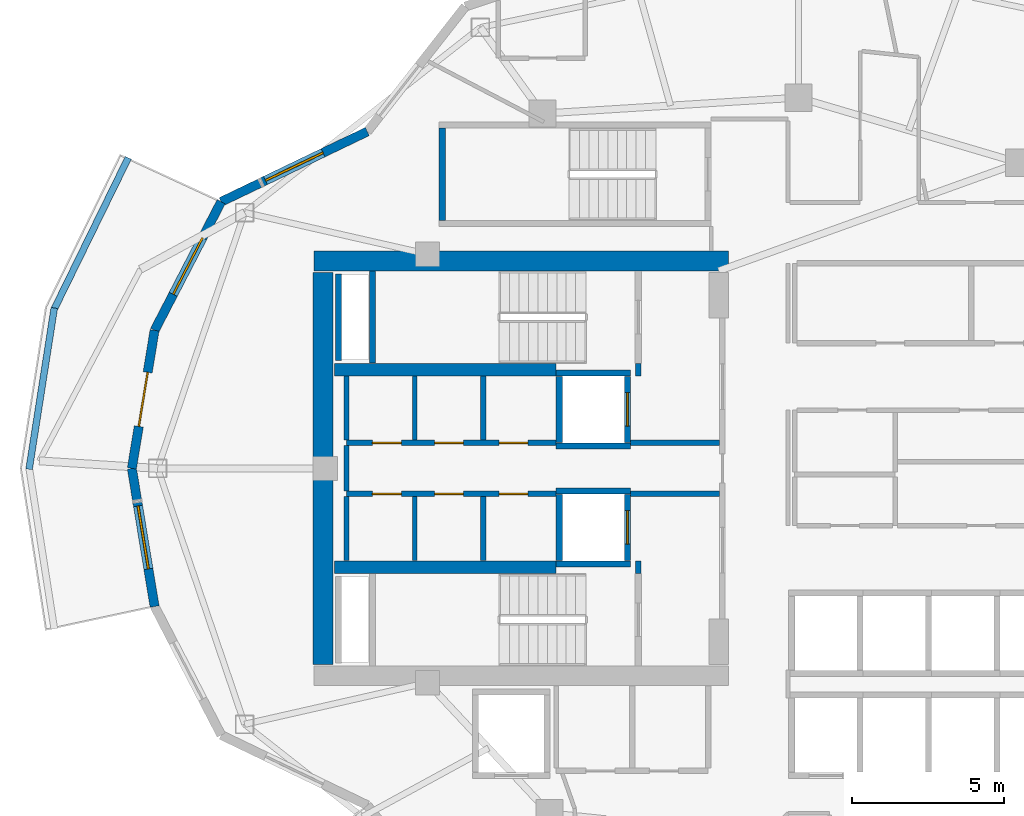
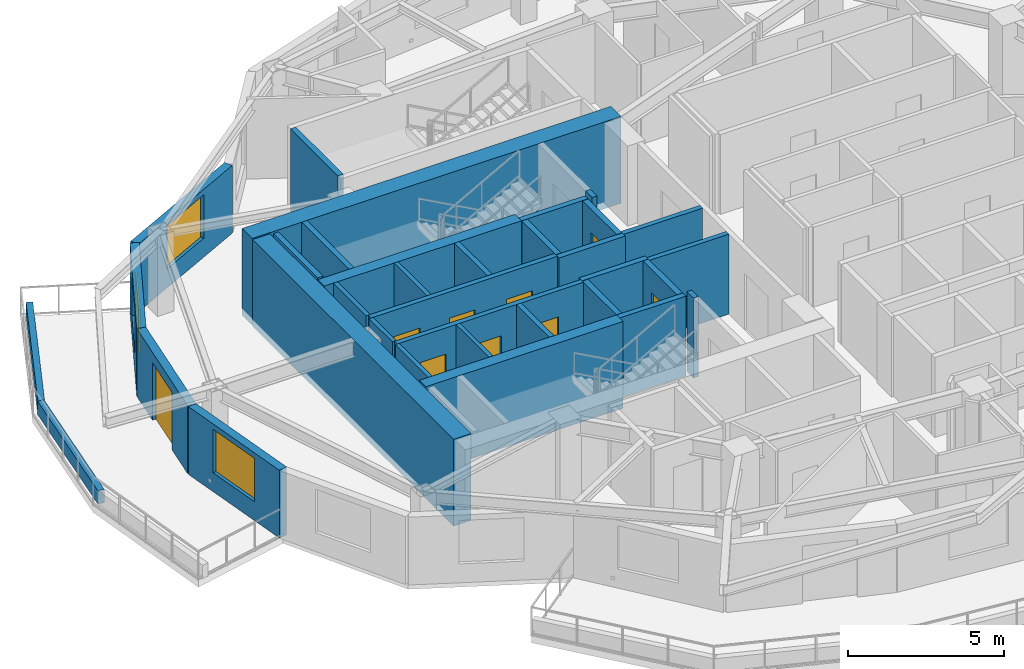
# One storey, part 4 of 10: 34 walls, 9 doors, 3 windows, 12 openings.
"""IFC4 building model written with IfcOpenShell, lengths in metres."""

from ifc_helpers import new_model, si_unit, direction, frame, frame_2d, origin, place, context, subcontext, project, spatial, rectangle, extrude, material, layer, layer_set, type_object, element, fill, save


model = new_model("IFC4")

# Units and contexts
model_context = context("Model", 3, precision=1e-05, world=origin(), true_north=direction((0.0, 1.0)))
body_context = subcontext(model_context, "Body", "Model", "MODEL_VIEW")
ifc_project = project(units=[si_unit("LENGTHUNIT", "METRE"), si_unit("AREAUNIT", "SQUARE_METRE"), si_unit("VOLUMEUNIT", "CUBIC_METRE"), si_unit("PLANEANGLEUNIT", "RADIAN"), si_unit("MASSUNIT", "GRAM", prefix="KILO")], contexts=[model_context])

# Site, building, storey
site_placement = place(None, origin())
site = spatial("IfcSite", under=ifc_project, at=site_placement, CompositionType="ELEMENT")
building_placement = place(site_placement, origin())
building = spatial("IfcBuilding", under=site, at=building_placement, Name="Kolvaren Gate Tower and Convention Centre", CompositionType="ELEMENT")
storey_placement = place(building_placement, frame((0.0, 0.0, 152.89990234375)))
storey = spatial("IfcBuildingStorey", under=building, at=storey_placement, Name="L39", CompositionType="ELEMENT", Elevation=152.89990234375)

# Walls
ifc_material_1 = material(Name="Autoclaved Aerated Masonry Blockwork Class 4 (4.0 MPa)", Category="masonry")
ifc_layer_1 = layer(ifc_material_1, 0.179931640625)
ifc_layer_set_1 = layer_set([ifc_layer_1], Name="Autoclaved Aerated Masonry Blockwork Class 4 (4.0 MPa)")
wall_type_1 = type_object("IfcWallType", Name="ARCH-WL-COMP-180", PredefinedType="SOLIDWALL", material=ifc_layer_set_1)
for number, where, z_axis, x_axis, name in (
    (1, (24.85009765625, 23.5400390625, 0.0), (0.0, 0.0, 1.0), (0.0, 1.0, 0.0), "Interior Partition WL-L39-INT-001"),
    (2, (24.85009765625, 30.0400390625, 0.0), (0.0, 0.0, 1.0), (0.0, 1.0, 0.0), "Interior Partition WL-L39-INT-002"),
):
    element("IfcWall", number, at=place(storey_placement, frame(where, z_axis=z_axis, x_axis=x_axis)), inside=storey, type_object=wall_type_1, Name=name, PredefinedType="SOLIDWALL", context=body_context, shape_type="SweptSolid", body=[
        extrude(rectangle(XDim=0.419921875, YDim=0.179931640625, at=frame_2d((0.2099609375, 0.0))), origin(), (0.0, 0.0, 1.0), 3.130126953125),
    ])

# Wall, openings, doors
wall_1_placement = place(storey_placement, frame((15.25, 27.840087890625, 0.0), z_axis=(0.0, 0.0, 1.0), x_axis=(1.0, 0.0, 0.0)))
wall_1 = element("IfcWall", 3, at=wall_1_placement, inside=storey, type_object=wall_type_1, Name="Interior Partition WL-L39-INT-004", PredefinedType="SOLIDWALL", context=body_context, shape_type="SweptSolid", body=[
    extrude(rectangle(XDim=6.89990234375, YDim=0.179931640625, at=frame_2d((3.449951171875, 0.0))), origin(), (0.0, 0.0, 1.0), 3.130126953125),
])
opening_1_placement = place(wall_1_placement, frame((5.02001953125, 0.0, 0.0)))
opening_1 = element("IfcOpeningElement", 4, at=opening_1_placement, cuts=wall_1, Name="Opening DR-01", PredefinedType="OPENING", context=body_context, shape_type="SweptSolid", body=[
    extrude(rectangle(XDim=0.949951171875, YDim=2.10009765625, at=frame_2d((0.47509765625, 1.050048828125))), frame((0.0, 0.099853515625, 0.0), z_axis=(0.0, -1.0, 0.0), x_axis=(1.0, 0.0, 0.0)), (0.0, 0.0, 1.0), 0.199951171875),
])
opening_2_placement = place(wall_1_placement, frame((0.85498046875, 0.0, 0.0)))
opening_2 = element("IfcOpeningElement", 5, at=opening_2_placement, cuts=wall_1, Name="Opening DR-01", PredefinedType="OPENING", context=body_context, shape_type="SweptSolid", body=[
    extrude(rectangle(XDim=0.949951171875, YDim=2.10009765625, at=frame_2d((0.47509765625, 1.050048828125))), frame((0.0, 0.099853515625, 0.0), z_axis=(0.0, -1.0, 0.0), x_axis=(1.0, 0.0, 0.0)), (0.0, 0.0, 1.0), 0.199951171875),
])
opening_3_placement = place(wall_1_placement, frame((2.89990234375, 0.0, 0.0)))
opening_3 = element("IfcOpeningElement", 6, at=opening_3_placement, cuts=wall_1, Name="Opening DR-01", PredefinedType="OPENING", context=body_context, shape_type="SweptSolid", body=[
    extrude(rectangle(XDim=0.949951171875, YDim=2.10009765625, at=frame_2d((0.47509765625, 1.050048828125))), frame((0.0, 0.099853515625, 0.0), z_axis=(0.0, -1.0, 0.0), x_axis=(1.0, 0.0, 0.0)), (0.0, 0.0, 1.0), 0.199951171875),
])
ifc_material_2 = material(Name="Painted Architectural Steelwork ASTM A500 Grade C 345 MPa", Category="steel")
door_type_1 = type_object("IfcDoorType", Name="ARCH-DR-RISER-950", OperationType="SINGLE_SWING_RIGHT", PredefinedType="DOOR", material=ifc_material_2)
door_1_placement = place(opening_1_placement, origin())
door_1 = element("IfcDoor", 7, at=door_1_placement, inside=storey, type_object=door_type_1, Name="Electrical Switchgear Closet Door", OperationType="SINGLE_SWING_RIGHT", OverallHeight=2.10009765625, OverallWidth=0.949951171875, PredefinedType="DOOR", context=body_context, shape_type="SweptSolid", body=[
    extrude(rectangle(XDim=0.949951171875, YDim=2.10009765625, at=frame_2d((0.47509765625, 1.050048828125))), frame((0.0, 0.02490234375, 0.0), z_axis=(0.0, -1.0, 0.0), x_axis=(1.0, 0.0, 0.0)), (0.0, 0.0, 1.0), 0.050048828125),
])
fill(opening_1, door_1)
door_2_placement = place(opening_2_placement, origin())
door_2 = element("IfcDoor", 8, at=door_2_placement, inside=storey, type_object=door_type_1, Name="Staff Accessible WC Door", OperationType="SINGLE_SWING_RIGHT", OverallHeight=2.10009765625, OverallWidth=0.949951171875, PredefinedType="DOOR", context=body_context, shape_type="SweptSolid", body=[
    extrude(rectangle(XDim=0.949951171875, YDim=2.10009765625, at=frame_2d((0.47509765625, 1.050048828125))), frame((0.0, 0.02490234375, 0.0), z_axis=(0.0, -1.0, 0.0), x_axis=(1.0, 0.0, 0.0)), (0.0, 0.0, 1.0), 0.050048828125),
])
fill(opening_2, door_2)
door_3_placement = place(opening_3_placement, origin())
door_3 = element("IfcDoor", 9, at=door_3_placement, inside=storey, type_object=door_type_1, Name="Housekeeping Sink Closet Door", OperationType="SINGLE_SWING_LEFT", OverallHeight=2.10009765625, OverallWidth=0.949951171875, PredefinedType="DOOR", context=body_context, shape_type="SweptSolid", body=[
    extrude(rectangle(XDim=0.949951171875, YDim=2.10009765625, at=frame_2d((0.47509765625, 1.050048828125))), frame((0.0, 0.02490234375, 0.0), z_axis=(0.0, -1.0, 0.0), x_axis=(1.0, 0.0, 0.0)), (0.0, 0.0, 1.0), 0.050048828125),
])
fill(opening_3, door_3)

# Wall
wall_2_placement = place(storey_placement, frame((24.60009765625, 27.840087890625, 0.0), z_axis=(0.0, 0.0, 1.0), x_axis=(1.0, 0.0, 0.0)))
element("IfcWall", 10, at=wall_2_placement, inside=storey, type_object=wall_type_1, Name="Interior Partition WL-L39-INT-004 (2)", PredefinedType="SOLIDWALL", context=body_context, shape_type="SweptSolid", body=[
    extrude(rectangle(XDim=2.927978515625, YDim=0.179931640625, at=frame_2d((1.4638671875, 0.0))), origin(), (0.0, 0.0, 1.0), 3.130126953125),
])

# Wall, openings, doors
wall_3_placement = place(storey_placement, frame((15.25, 26.159912109375, 0.0), z_axis=(0.0, 0.0, 1.0), x_axis=(1.0, 0.0, 0.0)))
wall_3 = element("IfcWall", 11, at=wall_3_placement, inside=storey, type_object=wall_type_1, Name="Interior Partition WL-L39-INT-005", PredefinedType="SOLIDWALL", context=body_context, shape_type="SweptSolid", body=[
    extrude(rectangle(XDim=6.89990234375, YDim=0.179931640625, at=frame_2d((3.449951171875, 0.0))), origin(), (0.0, 0.0, 1.0), 3.130126953125),
])
opening_4_placement = place(wall_3_placement, frame((5.02001953125, 0.0, 0.0)))
opening_4 = element("IfcOpeningElement", 12, at=opening_4_placement, cuts=wall_3, Name="Opening DR-01", PredefinedType="OPENING", context=body_context, shape_type="SweptSolid", body=[
    extrude(rectangle(XDim=0.949951171875, YDim=2.10009765625, at=frame_2d((0.47509765625, 1.050048828125))), frame((0.0, 0.099853515625, 0.0), z_axis=(0.0, -1.0, 0.0), x_axis=(1.0, 0.0, 0.0)), (0.0, 0.0, 1.0), 0.199951171875),
])
opening_5_placement = place(wall_3_placement, frame((0.85498046875, 0.0, 0.0)))
opening_5 = element("IfcOpeningElement", 13, at=opening_5_placement, cuts=wall_3, Name="Opening DR-01", PredefinedType="OPENING", context=body_context, shape_type="SweptSolid", body=[
    extrude(rectangle(XDim=0.949951171875, YDim=2.10009765625, at=frame_2d((0.47509765625, 1.050048828125))), frame((0.0, 0.099853515625, 0.0), z_axis=(0.0, -1.0, 0.0), x_axis=(1.0, 0.0, 0.0)), (0.0, 0.0, 1.0), 0.199951171875),
])
opening_6_placement = place(wall_3_placement, frame((2.89990234375, 0.0, 0.0)))
opening_6 = element("IfcOpeningElement", 14, at=opening_6_placement, cuts=wall_3, Name="Opening DR-01", PredefinedType="OPENING", context=body_context, shape_type="SweptSolid", body=[
    extrude(rectangle(XDim=0.949951171875, YDim=2.10009765625, at=frame_2d((0.47509765625, 1.050048828125))), frame((0.0, 0.099853515625, 0.0), z_axis=(0.0, -1.0, 0.0), x_axis=(1.0, 0.0, 0.0)), (0.0, 0.0, 1.0), 0.199951171875),
])
door_4_placement = place(opening_4_placement, origin())
door_4 = element("IfcDoor", 15, at=door_4_placement, inside=storey, type_object=door_type_1, Name="Domestic Water Meter Closet Door", OperationType="SINGLE_SWING_LEFT", OverallHeight=2.10009765625, OverallWidth=0.949951171875, PredefinedType="DOOR", context=body_context, shape_type="SweptSolid", body=[
    extrude(rectangle(XDim=0.949951171875, YDim=2.10009765625, at=frame_2d((0.47509765625, 1.050048828125))), frame((0.0, 0.02490234375, 0.0), z_axis=(0.0, -1.0, 0.0), x_axis=(1.0, 0.0, 0.0)), (0.0, 0.0, 1.0), 0.050048828125),
])
fill(opening_4, door_4)
door_5_placement = place(opening_5_placement, origin())
door_5 = element("IfcDoor", 16, at=door_5_placement, inside=storey, type_object=door_type_1, Name="Beverage Service Pantry Door", OperationType="SINGLE_SWING_RIGHT", OverallHeight=2.10009765625, OverallWidth=0.949951171875, PredefinedType="DOOR", context=body_context, shape_type="SweptSolid", body=[
    extrude(rectangle(XDim=0.949951171875, YDim=2.10009765625, at=frame_2d((0.47509765625, 1.050048828125))), frame((0.0, 0.02490234375, 0.0), z_axis=(0.0, -1.0, 0.0), x_axis=(1.0, 0.0, 0.0)), (0.0, 0.0, 1.0), 0.050048828125),
])
fill(opening_5, door_5)
door_6_placement = place(opening_6_placement, origin())
door_6 = element("IfcDoor", 17, at=door_6_placement, inside=storey, type_object=door_type_1, Name="Archive Supply Closet Door", OperationType="SINGLE_SWING_LEFT", OverallHeight=2.10009765625, OverallWidth=0.949951171875, PredefinedType="DOOR", context=body_context, shape_type="SweptSolid", body=[
    extrude(rectangle(XDim=0.949951171875, YDim=2.10009765625, at=frame_2d((0.47509765625, 1.050048828125))), frame((0.0, 0.02490234375, 0.0), z_axis=(0.0, -1.0, 0.0), x_axis=(1.0, 0.0, 0.0)), (0.0, 0.0, 1.0), 0.050048828125),
])
fill(opening_6, door_6)

# Walls
wall_4_placement = place(storey_placement, frame((24.60009765625, 26.159912109375, 0.0), z_axis=(0.0, 0.0, 1.0), x_axis=(1.0, 0.0, 0.0)))
element("IfcWall", 18, at=wall_4_placement, inside=storey, type_object=wall_type_1, Name="Interior Partition WL-L39-INT-005 (2)", PredefinedType="SOLIDWALL", context=body_context, shape_type="SweptSolid", body=[
    extrude(rectangle(XDim=2.927978515625, YDim=0.179931640625, at=frame_2d((1.4638671875, 0.0))), origin(), (0.0, 0.0, 1.0), 3.130126953125),
])
for number, where, z_axis, x_axis, name in (
    (19, (19.75, 23.9619140625, 0.0), (0.0, 0.0, 1.0), (0.0, 1.0, 0.0), "Interior Partition WL-L39-INT-007"),
    (20, (19.75, 27.931884765625, 0.0), (0.0, 0.0, 1.0), (0.0, 1.0, 0.0), "Interior Partition WL-L39-INT-008"),
):
    element("IfcWall", number, at=place(storey_placement, frame(where, z_axis=z_axis, x_axis=x_axis)), inside=storey, type_object=wall_type_1, Name=name, PredefinedType="SOLIDWALL", context=body_context, shape_type="SweptSolid", body=[
        extrude(rectangle(XDim=2.106201171875, YDim=0.179931640625, at=frame_2d((1.05322265625, 0.0))), origin(), (0.0, 0.0, 1.0), 3.130126953125),
    ])
ifc_material_3 = material(Name="Piedmont Cream Honed Limestone Cladding", Category="masonry")
ifc_layer_2 = layer(ifc_material_3, 0.219970703125)
ifc_layer_set_2 = layer_set([ifc_layer_2], Name="Piedmont Cream Honed Limestone Cladding")
wall_type_2 = type_object("IfcWallType", Name="ARCH-WL-PLANTER-220", PredefinedType="PARAPET", material=ifc_layer_set_2)
wall_5_placement = place(storey_placement, frame((5.6220703125, 32.22119140625, 0.0), z_axis=(0.0, 0.0, 1.0), x_axis=(0.439637174641, 0.898175458735, 0.0)))
element("IfcWall", 21, at=wall_5_placement, inside=storey, type_object=wall_type_2, Name="Vertical-Forest Balcony Stone Planter Kerb PK-L39-2.1", PredefinedType="PARAPET", context=body_context, shape_type="SweptSolid", body=[
    extrude(rectangle(XDim=5.567138671875, YDim=0.219970703125, at=frame_2d((2.78369140625, 0.0))), origin(), (0.0, 0.0, 1.0), 0.52001953125),
])
wall_6_placement = place(storey_placement, frame((4.805908203125, 26.970703125, 0.0), z_axis=(0.0, 0.0, 1.0), x_axis=(0.154245214003, 0.988032597619, 0.0)))
element("IfcWall", 22, at=wall_6_placement, inside=storey, type_object=wall_type_2, Name="Vertical-Forest Balcony Stone Planter Kerb PK-L39-2.2", PredefinedType="PARAPET", context=body_context, shape_type="SweptSolid", body=[
    extrude(rectangle(XDim=5.37353515625, YDim=0.219970703125, at=frame_2d((2.686767578125, 0.0))), origin(), (0.0, 0.0, 1.0), 0.52001953125),
])
ifc_layer_3 = layer(ifc_material_1, 0.199951171875)
ifc_layer_set_3 = layer_set([ifc_layer_3], Name="Autoclaved Aerated Masonry Blockwork Class 4 (4.0 MPa)")
wall_type_3 = type_object("IfcWallType", Name="ARCH-WL-SHAFT-200", PredefinedType="SOLIDWALL", material=ifc_layer_set_3)
for number, where, z_axis, x_axis, name in (
    (23, (22.14990234375, 30.139892578125, 0.0), (0.0, 0.0, 1.0), (1.0, 0.0, 0.0), "Elevator FF-01 L39 Fire Shaft Wall N"),
    (24, (22.14990234375, 27.739990234375, 0.0), (0.0, 0.0, 1.0), (1.0, 0.0, 0.0), "Elevator FF-01 L39 Fire Shaft Wall S"),
):
    element("IfcWall", number, at=place(storey_placement, frame(where, z_axis=z_axis, x_axis=x_axis)), inside=storey, type_object=wall_type_3, Name=name, PredefinedType="SOLIDWALL", context=body_context, shape_type="SweptSolid", body=[
        extrude(rectangle(XDim=2.4501953125, YDim=0.199951171875, at=frame_2d((1.22509765625, 0.0))), origin(), (0.0, 0.0, 1.0), 3.130126953125),
    ])
wall_7_placement = place(storey_placement, frame((22.25, 27.85009765625, 0.0), z_axis=(0.0, 0.0, 1.0), x_axis=(0.0, 1.0, 0.0)))
element("IfcWall", 25, at=wall_7_placement, inside=storey, type_object=wall_type_3, Name="Elevator FF-01 L39 Fire Shaft Wall W", PredefinedType="SOLIDWALL", context=body_context, shape_type="SweptSolid", body=[
    extrude(rectangle(XDim=2.179931640625, YDim=0.199951171875, at=frame_2d((1.08984375, 0.0))), origin(), (0.0, 0.0, 1.0), 3.130126953125),
])

# Wall, opening, door
wall_8_placement = place(storey_placement, frame((24.5, 27.85009765625, 0.0), z_axis=(0.0, 0.0, 1.0), x_axis=(0.0, 1.0, 0.0)))
wall_8 = element("IfcWall", 26, at=wall_8_placement, inside=storey, type_object=wall_type_3, Name="Elevator FF-01 L39 Fire Shaft Wall E", PredefinedType="SOLIDWALL", context=body_context, shape_type="SweptSolid", body=[
    extrude(rectangle(XDim=2.179931640625, YDim=0.199951171875, at=frame_2d((1.08984375, 0.0))), origin(), (0.0, 0.0, 1.0), 3.130126953125),
])
opening_7_placement = place(wall_8_placement, frame((0.5400390625, 0.0, 0.0)))
opening_7 = element("IfcOpeningElement", 27, at=opening_7_placement, cuts=wall_8, Name="Opening LD", PredefinedType="OPENING", context=body_context, shape_type="SweptSolid", body=[
    extrude(rectangle(XDim=1.10009765625, YDim=2.199951171875, at=frame_2d((0.550048828125, 1.10009765625))), frame((0.0, 0.10986328125, 0.0), z_axis=(0.0, -1.0, 0.0), x_axis=(1.0, 0.0, 0.0)), (0.0, 0.0, 1.0), 0.219970703125),
])
ifc_material_4 = material(Name="Brushed Stainless Steel Grade 316L", Category="steel")
door_type_2 = type_object("IfcDoorType", Name="ARCH-DR-LIFT-1100", OperationType="SLIDING_TO_LEFT", PredefinedType="DOOR", material=ifc_material_4)
door_7_placement = place(opening_7_placement, origin())
door_7 = element("IfcDoor", 28, at=door_7_placement, inside=storey, type_object=door_type_2, Name="Elevator FF-01 L39 Sliding Landing Door", OperationType="SLIDING_TO_LEFT", OverallHeight=2.199951171875, OverallWidth=1.10009765625, PredefinedType="DOOR", context=body_context, shape_type="SweptSolid", body=[
    extrude(rectangle(XDim=1.10009765625, YDim=2.199951171875, at=frame_2d((0.550048828125, 1.10009765625))), frame((0.0, 0.02490234375, 0.0), z_axis=(0.0, -1.0, 0.0), x_axis=(1.0, 0.0, 0.0)), (0.0, 0.0, 1.0), 0.050048828125),
])
fill(opening_7, door_7)

# Walls
for number, where, z_axis, x_axis, name in (
    (29, (22.14990234375, 26.260009765625, 0.0), (0.0, 0.0, 1.0), (1.0, 0.0, 0.0), "Elevator FF-02 L39 Fire Shaft Wall N"),
    (30, (22.14990234375, 23.860107421875, 0.0), (0.0, 0.0, 1.0), (1.0, 0.0, 0.0), "Elevator FF-02 L39 Fire Shaft Wall S"),
):
    element("IfcWall", number, at=place(storey_placement, frame(where, z_axis=z_axis, x_axis=x_axis)), inside=storey, type_object=wall_type_3, Name=name, PredefinedType="SOLIDWALL", context=body_context, shape_type="SweptSolid", body=[
        extrude(rectangle(XDim=2.4501953125, YDim=0.199951171875, at=frame_2d((1.22509765625, 0.0))), origin(), (0.0, 0.0, 1.0), 3.130126953125),
    ])
wall_9_placement = place(storey_placement, frame((22.25, 23.969970703125, 0.0), z_axis=(0.0, 0.0, 1.0), x_axis=(0.0, 1.0, 0.0)))
element("IfcWall", 31, at=wall_9_placement, inside=storey, type_object=wall_type_3, Name="Elevator FF-02 L39 Fire Shaft Wall W", PredefinedType="SOLIDWALL", context=body_context, shape_type="SweptSolid", body=[
    extrude(rectangle(XDim=2.179931640625, YDim=0.199951171875, at=frame_2d((1.08984375, 0.0))), origin(), (0.0, 0.0, 1.0), 3.130126953125),
])

# Wall, opening, door
wall_10_placement = place(storey_placement, frame((24.5, 23.969970703125, 0.0), z_axis=(0.0, 0.0, 1.0), x_axis=(0.0, 1.0, 0.0)))
wall_10 = element("IfcWall", 32, at=wall_10_placement, inside=storey, type_object=wall_type_3, Name="Elevator FF-02 L39 Fire Shaft Wall E", PredefinedType="SOLIDWALL", context=body_context, shape_type="SweptSolid", body=[
    extrude(rectangle(XDim=2.179931640625, YDim=0.199951171875, at=frame_2d((1.08984375, 0.0))), origin(), (0.0, 0.0, 1.0), 3.130126953125),
])
opening_8_placement = place(wall_10_placement, frame((0.5400390625, 0.0, 0.0)))
opening_8 = element("IfcOpeningElement", 33, at=opening_8_placement, cuts=wall_10, Name="Opening LD", PredefinedType="OPENING", context=body_context, shape_type="SweptSolid", body=[
    extrude(rectangle(XDim=1.10009765625, YDim=2.199951171875, at=frame_2d((0.550048828125, 1.10009765625))), frame((0.0, 0.10986328125, 0.0), z_axis=(0.0, -1.0, 0.0), x_axis=(1.0, 0.0, 0.0)), (0.0, 0.0, 1.0), 0.219970703125),
])
door_8_placement = place(opening_8_placement, origin())
door_8 = element("IfcDoor", 34, at=door_8_placement, inside=storey, type_object=door_type_2, Name="Elevator FF-02 L39 Sliding Landing Door", OperationType="SLIDING_TO_LEFT", OverallHeight=2.199951171875, OverallWidth=1.10009765625, PredefinedType="DOOR", context=body_context, shape_type="SweptSolid", body=[
    extrude(rectangle(XDim=1.10009765625, YDim=2.199951171875, at=frame_2d((0.550048828125, 1.10009765625))), frame((0.0, 0.02490234375, 0.0), z_axis=(0.0, -1.0, 0.0), x_axis=(1.0, 0.0, 0.0)), (0.0, 0.0, 1.0), 0.050048828125),
])
fill(opening_8, door_8)

# Wall
wall_11_placement = place(storey_placement, frame((14.989990234375, 30.550048828125, 0.0), z_axis=(0.0, 0.0, 1.0), x_axis=(0.0, 1.0, 0.0)))
element("IfcWall", 35, at=wall_11_placement, inside=storey, type_object=wall_type_3, Name="Vertical Shaft HVR L39 EI-120 Enclosure Wall W", PredefinedType="SOLIDWALL", context=body_context, shape_type="SweptSolid", body=[
    extrude(rectangle(XDim=2.849853515625, YDim=0.199951171875, at=frame_2d((1.4248046875, 0.0))), origin(), (0.0, 0.0, 1.0), 3.130126953125),
])

# Wall, opening, window
ifc_layer_4 = layer(ifc_material_3, 0.300048828125)
ifc_layer_set_4 = layer_set([ifc_layer_4], Name="Piedmont Cream Honed Limestone Cladding")
wall_type_4 = type_object("IfcWallType", Name="ARCH-WL-STONE-300", PredefinedType="SOLIDWALL", material=ifc_layer_set_4)
wall_12_placement = place(storey_placement, frame((11.126708984375, 35.77490234375, 0.0), z_axis=(0.0, 0.0, 1.0), x_axis=(0.901353070301, 0.433085029363, 0.0)))
wall_12 = element("IfcWall", 36, at=wall_12_placement, inside=storey, type_object=wall_type_4, Name="Tower L39 Honed Stone Spandrel Wall EW-09", PredefinedType="SOLIDWALL", context=body_context, shape_type="SweptSolid", body=[
    extrude(rectangle(XDim=5.336181640625, YDim=0.300048828125, at=frame_2d((2.66796875, 0.0))), origin(), (0.0, 0.0, 1.0), 2.653076171875),
])
opening_9_placement = place(wall_12_placement, frame((1.617919921875, 0.0, 0.739990234375)))
opening_9 = element("IfcOpeningElement", 37, at=opening_9_placement, cuts=wall_12, Name="Opening W-02", PredefinedType="OPENING", context=body_context, shape_type="SweptSolid", body=[
    extrude(rectangle(XDim=2.10009765625, YDim=1.699951171875, at=frame_2d((1.050048828125, 0.85009765625))), frame((0.0, 0.159912109375, 0.0), z_axis=(0.0, -1.0, 0.0), x_axis=(1.0, 0.0, 0.0)), (0.0, 0.0, 1.0), 0.320068359375),
])
ifc_material_5 = material(Name="Low-E Triple Insulated Glazing Unit 44 mm", Category="glass")
window_type = type_object("IfcWindowType", Name="ARCH-WN-HTL-2100", PartitioningType="SINGLE_PANEL", PredefinedType="WINDOW", material=ifc_material_5)
window_1_placement = place(opening_9_placement, origin())
window_1 = element("IfcWindow", 38, at=window_1_placement, inside=storey, type_object=window_type, Name="Tower L39 Punched Stone Facade Window W-09", OverallHeight=1.699951171875, OverallWidth=2.10009765625, PartitioningType="SINGLE_PANEL", PredefinedType="WINDOW", context=body_context, shape_type="SweptSolid", body=[
    extrude(rectangle(XDim=2.10009765625, YDim=1.699951171875, at=frame_2d((1.050048828125, 0.85009765625))), frame((0.0, 0.030029296875, 0.0), z_axis=(0.0, -1.0, 0.0), x_axis=(1.0, 0.0, 0.0)), (0.0, 0.0, 1.0), 0.06005859375),
])
fill(opening_9, window_1)

wall_13_placement = place(storey_placement, frame((8.93505859375, 31.542236328125, 0.0), z_axis=(0.0, 0.0, 1.0), x_axis=(0.459810251451, 0.888017191647, 0.0)))
wall_13 = element("IfcWall", 39, at=wall_13_placement, inside=storey, type_object=wall_type_4, Name="Tower L39 Honed Stone Spandrel Wall EW-10", PredefinedType="SOLIDWALL", context=body_context, shape_type="SweptSolid", body=[
    extrude(rectangle(XDim=4.766357421875, YDim=0.300048828125, at=frame_2d((2.38330078125, 0.0))), origin(), (0.0, 0.0, 1.0), 2.653076171875),
])
opening_10_placement = place(wall_13_placement, frame((1.3330078125, 0.0, 0.739990234375)))
opening_10 = element("IfcOpeningElement", 40, at=opening_10_placement, cuts=wall_13, Name="Opening W-02", PredefinedType="OPENING", context=body_context, shape_type="SweptSolid", body=[
    extrude(rectangle(XDim=2.10009765625, YDim=1.699951171875, at=frame_2d((1.050048828125, 0.85009765625))), frame((0.0, 0.159912109375, 0.0), z_axis=(0.0, -1.0, 0.0), x_axis=(1.0, 0.0, 0.0)), (0.0, 0.0, 1.0), 0.320068359375),
])
window_2_placement = place(opening_10_placement, origin())
window_2 = element("IfcWindow", 41, at=window_2_placement, inside=storey, type_object=window_type, Name="Tower L39 Punched Stone Facade Window W-10", OverallHeight=1.699951171875, OverallWidth=2.10009765625, PartitioningType="SINGLE_PANEL", PredefinedType="WINDOW", context=body_context, shape_type="SweptSolid", body=[
    extrude(rectangle(XDim=2.10009765625, YDim=1.699951171875, at=frame_2d((1.050048828125, 0.85009765625))), frame((0.0, 0.030029296875, 0.0), z_axis=(0.0, -1.0, 0.0), x_axis=(1.0, 0.0, 0.0)), (0.0, 0.0, 1.0), 0.06005859375),
])
fill(opening_10, window_2)

# Wall, opening, door
wall_14_placement = place(storey_placement, frame((8.1875, 27.0, 0.0), z_axis=(0.0, 0.0, 1.0), x_axis=(0.162394765401, 0.986725868806, 0.0)))
wall_14 = element("IfcWall", 42, at=wall_14_placement, inside=storey, type_object=wall_type_4, Name="Tower L39 Honed Stone Spandrel Wall EW-11", PredefinedType="SOLIDWALL", context=body_context, shape_type="SweptSolid", body=[
    extrude(rectangle(XDim=4.603271484375, YDim=0.300048828125, at=frame_2d((2.3017578125, 0.0))), origin(), (0.0, 0.0, 1.0), 2.653076171875),
])
opening_11_placement = place(wall_14_placement, frame((1.402099609375, 0.0, 0.0)))
opening_11 = element("IfcOpeningElement", 43, at=opening_11_placement, cuts=wall_14, Name="Opening DB-01", PredefinedType="OPENING", context=body_context, shape_type="SweptSolid", body=[
    extrude(rectangle(XDim=1.800048828125, YDim=2.25, at=frame_2d((0.89990234375, 1.125))), frame((0.0, 0.159912109375, 0.0), z_axis=(0.0, -1.0, 0.0), x_axis=(1.0, 0.0, 0.0)), (0.0, 0.0, 1.0), 0.320068359375),
])
ifc_material_6 = material(Name="Anodized Architectural Aluminium Alloy 6063-T6", Category="aluminium")
door_type_3 = type_object("IfcDoorType", Name="ARCH-DR-BALC-1800", OperationType="SLIDING_TO_LEFT", PredefinedType="DOOR", material=ifc_material_6)
door_9_placement = place(opening_11_placement, origin())
door_9 = element("IfcDoor", 44, at=door_9_placement, inside=storey, type_object=door_type_3, Name="Planted Sky Terrace Access Door DB-L39-11", OperationType="SLIDING_TO_LEFT", OverallHeight=2.25, OverallWidth=1.800048828125, PredefinedType="DOOR", context=body_context, shape_type="SweptSolid", body=[
    extrude(rectangle(XDim=1.800048828125, YDim=2.25, at=frame_2d((0.89990234375, 1.125))), frame((0.0, 0.02490234375, 0.0), z_axis=(0.0, -1.0, 0.0), x_axis=(1.0, 0.0, 0.0)), (0.0, 0.0, 1.0), 0.050048828125),
])
fill(opening_11, door_9)

# Wall, opening, window
wall_15_placement = place(storey_placement, frame((8.1875, 27.0, 0.0), z_axis=(0.0, 0.0, 1.0), x_axis=(0.162394765401, -0.986725868806, 0.0)))
wall_15 = element("IfcWall", 45, at=wall_15_placement, inside=storey, type_object=wall_type_4, Name="Tower L39 Honed Stone Spandrel Wall EW-12", PredefinedType="SOLIDWALL", context=body_context, shape_type="SweptSolid", body=[
    extrude(rectangle(XDim=4.603271484375, YDim=0.300048828125, at=frame_2d((2.3017578125, 0.0))), origin(), (0.0, 0.0, 1.0), 2.653076171875),
])
opening_12_placement = place(wall_15_placement, frame((1.251953125, 0.0, 0.739990234375)))
opening_12 = element("IfcOpeningElement", 46, at=opening_12_placement, cuts=wall_15, Name="Opening W-02", PredefinedType="OPENING", context=body_context, shape_type="SweptSolid", body=[
    extrude(rectangle(XDim=2.10009765625, YDim=1.699951171875, at=frame_2d((1.050048828125, 0.85009765625))), frame((0.0, 0.159912109375, 0.0), z_axis=(0.0, -1.0, 0.0), x_axis=(1.0, 0.0, 0.0)), (0.0, 0.0, 1.0), 0.320068359375),
])
window_3_placement = place(opening_12_placement, origin())
window_3 = element("IfcWindow", 47, at=window_3_placement, inside=storey, type_object=window_type, Name="Tower L39 Punched Stone Facade Window W-12", OverallHeight=1.699951171875, OverallWidth=2.10009765625, PartitioningType="SINGLE_PANEL", PredefinedType="WINDOW", context=body_context, shape_type="SweptSolid", body=[
    extrude(rectangle(XDim=2.10009765625, YDim=1.699951171875, at=frame_2d((1.050048828125, 0.85009765625))), frame((0.0, 0.030029296875, 0.0), z_axis=(0.0, -1.0, 0.0), x_axis=(1.0, 0.0, 0.0)), (0.0, 0.0, 1.0), 0.06005859375),
])
fill(opening_12, window_3)

# Walls
ifc_material_7 = material(Name="Moisture-Resistant Cement-Board Acoustic Partition", Category="gypsum")
ifc_layer_5 = layer(ifc_material_7, 0.14990234375)
ifc_layer_set_5 = layer_set([ifc_layer_5], Name="Moisture-Resistant Cement-Board Acoustic Partition")
wall_type_5 = type_object("IfcWallType", Name="ARCH-WL-WET-150", PredefinedType="PARTITIONING", material=ifc_layer_set_5)
wall_16_placement = place(storey_placement, frame((15.25, 23.9619140625, 0.0), z_axis=(0.0, 0.0, 1.0), x_axis=(0.0, 1.0, 0.0)))
element("IfcWall", 48, at=wall_16_placement, inside=storey, type_object=wall_type_5, Name="Interior Partition WL-L39-INT-006", PredefinedType="PARTITIONING", context=body_context, shape_type="SweptSolid", body=[
    extrude(rectangle(XDim=2.106201171875, YDim=0.14990234375, at=frame_2d((1.05322265625, 0.0))), origin(), (0.0, 0.0, 1.0), 3.130126953125),
])
wall_17_placement = place(storey_placement, frame((15.25, 26.251953125, 0.0), z_axis=(0.0, 0.0, 1.0), x_axis=(0.0, 1.0, 0.0)))
element("IfcWall", 49, at=wall_17_placement, inside=storey, type_object=wall_type_5, Name="Interior Partition WL-L39-INT-006 (2)", PredefinedType="PARTITIONING", context=body_context, shape_type="SweptSolid", body=[
    extrude(rectangle(XDim=1.49609375, YDim=0.14990234375, at=frame_2d((0.748046875, 0.0))), origin(), (0.0, 0.0, 1.0), 3.130126953125),
])
for number, where, z_axis, x_axis, name in (
    (50, (15.25, 27.931884765625, 0.0), (0.0, 0.0, 1.0), (0.0, 1.0, 0.0), "Interior Partition WL-L39-INT-006 (3)"),
    (51, (17.5, 23.9619140625, 0.0), (0.0, 0.0, 1.0), (0.0, 1.0, 0.0), "Interior Partition WL-L39-INT-009"),
    (52, (17.5, 27.931884765625, 0.0), (0.0, 0.0, 1.0), (0.0, 1.0, 0.0), "Interior Partition WL-L39-INT-010"),
):
    element("IfcWall", number, at=place(storey_placement, frame(where, z_axis=z_axis, x_axis=x_axis)), inside=storey, type_object=wall_type_5, Name=name, PredefinedType="PARTITIONING", context=body_context, shape_type="SweptSolid", body=[
        extrude(rectangle(XDim=2.106201171875, YDim=0.14990234375, at=frame_2d((1.05322265625, 0.0))), origin(), (0.0, 0.0, 1.0), 3.130126953125),
    ])
ifc_material_8 = material(Name="Concrete C50/60", Category="concrete")
ifc_layer_6 = layer(ifc_material_8, 0.419921875)
ifc_layer_set_6 = layer_set([ifc_layer_6], Name="Concrete C50/60")
wall_type_6 = type_object("IfcWallType", Name="STR-WL-CONV-420", PredefinedType="SHEAR", material=ifc_layer_set_6)
for number, where, z_axis, x_axis, name in (
    (53, (14.85009765625, 30.25, -0.27001953125), (0.0, 0.0, 1.0), (1.0, 0.0, 0.0), "Tower L39 Offset Core Shear Wall WN"),
    (54, (14.85009765625, 23.75, -0.27001953125), (0.0, 0.0, 1.0), (1.0, 0.0, 0.0), "Tower L39 Offset Core Shear Wall WS"),
):
    element("IfcWall", number, at=place(storey_placement, frame(where, z_axis=z_axis, x_axis=x_axis)), inside=storey, type_object=wall_type_6, Name=name, PredefinedType="SHEAR", context=body_context, shape_type="SweptSolid", body=[
        extrude(rectangle(XDim=7.2998046875, YDim=0.419921875, at=frame_2d((3.64990234375, 0.0))), origin(), (0.0, 0.0, 1.0), 3.400146484375),
    ])
ifc_material_9 = material(Name="Concrete C60/75", Category="concrete")
ifc_layer_7 = layer(ifc_material_9, 0.64990234375)
ifc_layer_set_7 = layer_set([ifc_layer_7], Name="Concrete C60/75")
wall_type_7 = type_object("IfcWallType", Name="STR-WL-CORE-650", PredefinedType="SHEAR", material=ifc_layer_set_7)
wall_18_placement = place(storey_placement, frame((14.175048828125, 33.824951171875, -0.27001953125), z_axis=(0.0, 0.0, 1.0), x_axis=(1.0, 0.0, 0.0)))
element("IfcWall", 55, at=wall_18_placement, inside=storey, type_object=wall_type_7, Name="Tower L39 Offset Core Shear Wall N", PredefinedType="SHEAR", context=body_context, shape_type="SweptSolid", body=[
    extrude(rectangle(XDim=13.64990234375, YDim=0.64990234375, at=frame_2d((6.824951171875, 0.0))), origin(), (0.0, 0.0, 1.0), 3.400146484375),
])
wall_19_placement = place(storey_placement, frame((14.47509765625, 20.550048828125, -0.27001953125), z_axis=(0.0, 0.0, 1.0), x_axis=(0.0, 1.0, 0.0)))
element("IfcWall", 56, at=wall_19_placement, inside=storey, type_object=wall_type_7, Name="Tower L39 Offset Core Shear Wall W", PredefinedType="SHEAR", context=body_context, shape_type="SweptSolid", body=[
    extrude(rectangle(XDim=12.89990234375, YDim=0.64990234375, at=frame_2d((6.449951171875, 0.0))), origin(), (0.0, 0.0, 1.0), 3.400146484375),
])
ifc_layer_8 = layer(ifc_material_8, 0.199951171875)
ifc_layer_set_8 = layer_set([ifc_layer_8], Name="Concrete C50/60")
wall_type_8 = type_object("IfcWallType", Name="STR-WL-SHAFT-200", PredefinedType="SHEAR", material=ifc_layer_set_8)
wall_20_placement = place(storey_placement, frame((16.10009765625, 30.4619140625, -0.27001953125), z_axis=(0.0, 0.0, 1.0), x_axis=(0.0, 1.0, 0.0)))
element("IfcWall", 57, at=wall_20_placement, inside=storey, type_object=wall_type_8, Name="Tower North Exit Stair ST-T1 L39 Structural Shear Enclosure Wall FAR", PredefinedType="SHEAR", context=body_context, shape_type="SweptSolid", body=[
    extrude(rectangle(XDim=3.0361328125, YDim=0.199951171875, at=frame_2d((1.51806640625, 0.0))), origin(), (0.0, 0.0, 1.0), 3.400146484375),
])
wall_21_placement = place(storey_placement, frame((18.39990234375, 35.159912109375, -0.27001953125), z_axis=(0.0, 0.0, 1.0), x_axis=(0.0, 1.0, 0.0)))
element("IfcWall", 58, at=wall_21_placement, inside=storey, type_object=wall_type_8, Name="Tower Mid-Zone Exit Stair ST-T3 L39 Structural Shear Enclosure Wall FAR", PredefinedType="SHEAR", context=body_context, shape_type="SweptSolid", body=[
    extrude(rectangle(XDim=3.0400390625, YDim=0.199951171875, at=frame_2d((1.52001953125, 0.0))), origin(), (0.0, 0.0, 1.0), 3.400146484375),
])

save(model, "model.ifc")
